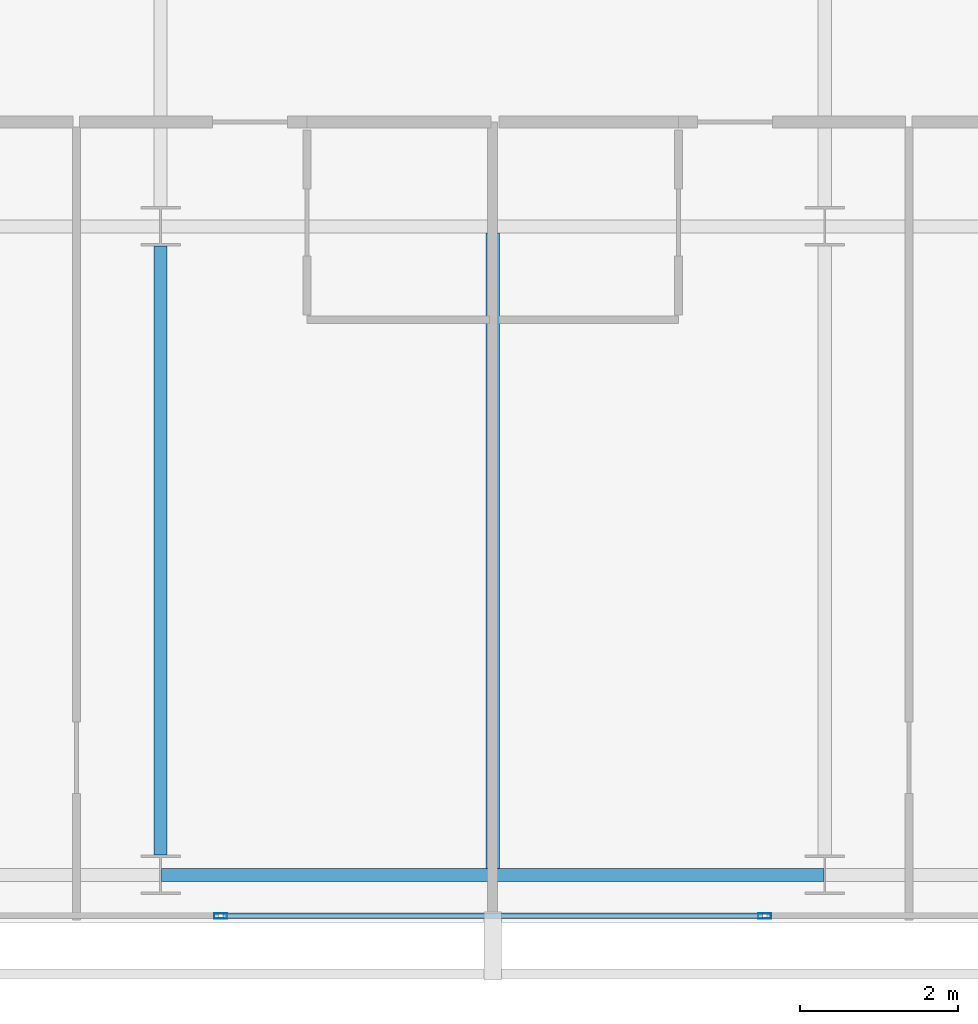
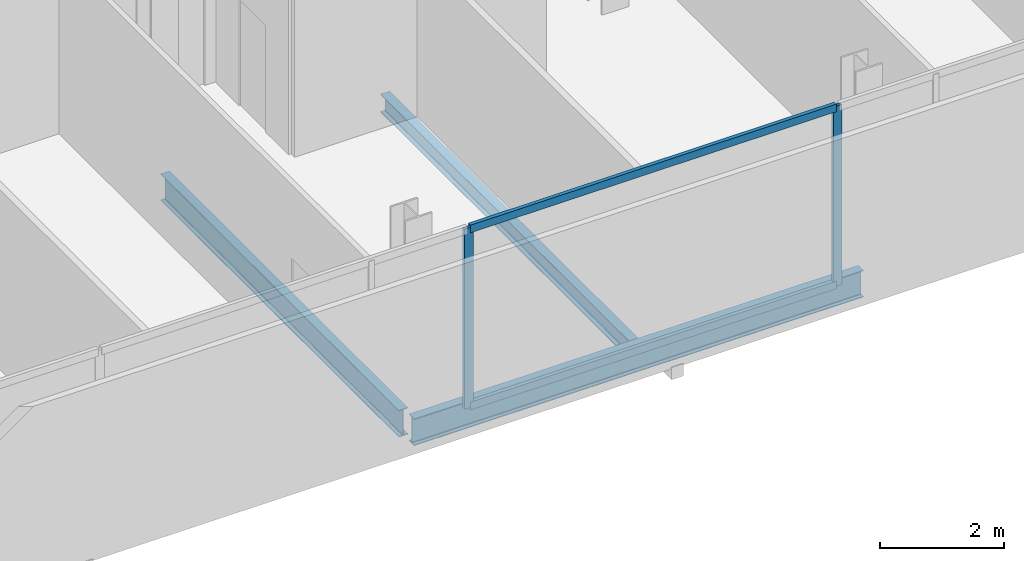
# One storey, part 6 of 26: 4 members, 3 beams, 1 element without a shape of its own.
"""IFC4 building model written with IfcOpenShell, lengths in metres."""

from ifc_helpers import new_model, si_unit, direction, frame, origin, origin_2d, place, context, subcontext, project, spatial, hollow_rectangle, i_section, extrude, material, layer, layer_set, material_profile, profile_set, type_object, element, aggregate, save


model = new_model("IFC4")

# Units and contexts
model_context = context("Model", 3, precision=1e-05, world=origin(), true_north=direction((0.0, 1.0)))
body_context = subcontext(model_context, "Body", "Model", "MODEL_VIEW")
ifc_project = project(units=[si_unit("LENGTHUNIT", "METRE"), si_unit("AREAUNIT", "SQUARE_METRE"), si_unit("VOLUMEUNIT", "CUBIC_METRE"), si_unit("PLANEANGLEUNIT", "RADIAN"), si_unit("MASSUNIT", "GRAM", prefix="KILO")], contexts=[model_context])

# Site, building, storey
site_placement = place(None, origin())
site = spatial("IfcSite", under=ifc_project, at=site_placement, CompositionType="ELEMENT")
building_placement = place(site_placement, origin())
building = spatial("IfcBuilding", under=site, at=building_placement, Name="Maruvema Waterfront Hotel and Observation Tower", CompositionType="ELEMENT")
storey_placement = place(building_placement, frame((0.0, 0.0, 312.550048828125)))
storey = spatial("IfcBuildingStorey", under=building, at=storey_placement, Name="L77", CompositionType="ELEMENT", Elevation=312.550048828125)

# Curtain wall, members
ifc_material_1 = material(Name="Anodised bronze aluminium and solar-control low-E IGU", Category="aluminium")
ifc_layer = layer(ifc_material_1, 0.159912109375, Name="Zone 3 Champagne Inner Thermal Curtain Wall System CW-04")
ifc_layer_set = layer_set([ifc_layer], Name="Anodised bronze aluminium and solar-control low-E IGU")
curtain_wall_type = type_object("IfcCurtainWallType", Name="Zone 3 Champagne Inner Thermal Curtain Wall System CW-04", PredefinedType="USERDEFINED", material=ifc_layer_set)
curtain_wall_placement = place(storey_placement, origin())
curtain_wall = element("IfcCurtainWall", 1, at=curtain_wall_placement, inside=storey, type_object=curtain_wall_type, Name="L77 Curtain Wall CW-L77-S", ObjectType="UNITISED CURTAIN WALL", PredefinedType="USERDEFINED")
ifc_material_2 = material(Name="Anodised architectural bronze aluminium", Category="aluminium")
ifc_material_profile_1 = material_profile(ifc_material_2, hollow_rectangle(XDim=0.070068359375, YDim=0.14990234375, WallThickness=0.00390625, at=origin_2d()), Name="ALU-T70x150")
ifc_profile_set_1 = profile_set([ifc_material_profile_1], Name="Anodised architectural bronze aluminium")
member_type_1 = type_object("IfcMemberType", Name="Curtain Wall Horizontal Transom ALU-T70x150", PredefinedType="USERDEFINED", material=ifc_profile_set_1)
member_1_placement = place(storey_placement, frame((34.389892578125, 9.280029296875, 0.030029296875), z_axis=(1.0, 0.0, 0.0), x_axis=(0.0, 1.0, 0.0)))
member_1 = element("IfcMember", 2, at=member_1_placement, type_object=member_type_1, Name="CW-04 transom 3.1", ObjectType="TRANSOM", PredefinedType="USERDEFINED", context=body_context, shape_type="SweptSolid", body=[
    extrude(hollow_rectangle(XDim=0.070068359375, YDim=0.14990234375, WallThickness=0.00390625, at=origin_2d()), origin(), (0.0, 0.0, 1.0), 6.820068359375),
])
member_2_placement = place(storey_placement, frame((34.389892578125, 9.280029296875, 3.52001953125), z_axis=(1.0, 0.0, 0.0), x_axis=(0.0, 1.0, 0.0)))
member_2 = element("IfcMember", 3, at=member_2_placement, type_object=member_type_1, Name="CW-04 transom 3.2", ObjectType="TRANSOM", PredefinedType="USERDEFINED", context=body_context, shape_type="SweptSolid", body=[
    extrude(hollow_rectangle(XDim=0.070068359375, YDim=0.14990234375, WallThickness=0.00390625, at=origin_2d()), origin(), (0.0, 0.0, 1.0), 6.820068359375),
])
ifc_material_3 = material(Name="Anodised architectural bronze aluminium", Category="aluminium")
ifc_material_profile_2 = material_profile(ifc_material_3, hollow_rectangle(XDim=0.06494140625, YDim=0.1650390625, WallThickness=0.00390625, at=origin_2d()), Name="ALU-M65x165")
ifc_profile_set_2 = profile_set([ifc_material_profile_2], Name="Anodised architectural bronze aluminium")
member_type_2 = type_object("IfcMemberType", Name="Curtain Wall Primary Mullion ALU-M65x165", PredefinedType="MULLION", material=ifc_profile_set_2)
member_3_placement = place(storey_placement, frame((34.360107421875, 9.280029296875, 0.0), z_axis=(0.0, 0.0, 1.0), x_axis=(0.0, 1.0, 0.0)))
member_3 = element("IfcMember", 4, at=member_3_placement, type_object=member_type_2, Name="CW-04 mullion 3", PredefinedType="MULLION", context=body_context, shape_type="SweptSolid", body=[
    extrude(hollow_rectangle(XDim=0.06494140625, YDim=0.1650390625, WallThickness=0.00390625, at=origin_2d()), origin(), (0.0, 0.0, 1.0), 3.550048828125),
])
member_4_placement = place(storey_placement, frame((41.239990234375, 9.280029296875, 0.0), z_axis=(0.0, 0.0, 1.0), x_axis=(0.0, 1.0, 0.0)))
member_4 = element("IfcMember", 5, at=member_4_placement, type_object=member_type_2, Name="CW-04 mullion 4", PredefinedType="MULLION", context=body_context, shape_type="SweptSolid", body=[
    extrude(hollow_rectangle(XDim=0.06494140625, YDim=0.1650390625, WallThickness=0.00390625, at=origin_2d()), origin(), (0.0, 0.0, 1.0), 3.550048828125),
])
aggregate(curtain_wall, [member_3, member_4, member_1, member_2])

# Beams
ifc_material_4 = material(Name="Steel ASTM A572 Grade 50", Category="steel")
ifc_material_profile_3 = material_profile(ifc_material_4, i_section(OverallWidth=0.166015625, OverallDepth=0.529052734375, WebThickness=0.009765625, FlangeThickness=0.013671875, FilletRadius=0.014892578125, at=origin_2d()), Name="W530x74.0")
ifc_profile_set_3 = profile_set([ifc_material_profile_3], Name="Steel ASTM A572 Grade 50")
beam_type_1 = type_object("IfcBeamType", Name="Primary Floor Girder W530x74.0", PredefinedType="BEAM", material=ifc_profile_set_3)
beam_1_placement = place(storey_placement, frame((33.611083984375, 9.800048828125, -0.504638671875), z_axis=(1.0, 0.0, 0.0), x_axis=(0.0, 1.0, 0.0)))
element("IfcBeam", 6, at=beam_1_placement, inside=storey, type_object=beam_type_1, Name="L77 Floor Girder EW-02", PredefinedType="BEAM", context=body_context, shape_type="SweptSolid", body=[
    extrude(i_section(OverallWidth=0.166015625, OverallDepth=0.529052734375, WebThickness=0.009765625, FlangeThickness=0.013671875, FilletRadius=0.014892578125, at=origin_2d()), origin(), (0.0, 0.0, 1.0), 8.3779296875),
])
beam_2_placement = place(storey_placement, frame((33.60009765625, 10.050048828125, -0.504638671875), z_axis=(0.0, 1.0, 0.0), x_axis=(-1.0, 0.0, 0.0)))
element("IfcBeam", 7, at=beam_2_placement, inside=storey, type_object=beam_type_1, Name="L77 Floor Girder NS-08", PredefinedType="BEAM", context=body_context, shape_type="SweptSolid", body=[
    extrude(i_section(OverallWidth=0.166015625, OverallDepth=0.529052734375, WebThickness=0.009765625, FlangeThickness=0.013671875, FilletRadius=0.014892578125, at=origin_2d()), origin(), (0.0, 0.0, 1.0), 7.699951171875),
])
ifc_material_5 = material(Name="Steel ASTM A572 Grade 50", Category="steel")
ifc_material_profile_4 = material_profile(ifc_material_5, i_section(OverallWidth=0.1708984375, OverallDepth=0.35498046875, WebThickness=0.007080078125, FlangeThickness=0.01171875, FilletRadius=0.014892578125, at=origin_2d()), Name="W360x51.0")
ifc_profile_set_4 = profile_set([ifc_material_profile_4], Name="Steel ASTM A572 Grade 50")
beam_type_2 = type_object("IfcBeamType", Name="Secondary Floor Joist W360x51.0", PredefinedType="JOIST", material=ifc_profile_set_4)
beam_3_placement = place(storey_placement, frame((37.800048828125, 9.883056640625, -0.41748046875), z_axis=(0.0, 1.0, 0.0), x_axis=(-1.0, 0.0, 0.0)))
element("IfcBeam", 8, at=beam_3_placement, inside=storey, type_object=beam_type_2, Name="L77 Secondary Floor Joist JS-05", PredefinedType="JOIST", context=body_context, shape_type="SweptSolid", body=[
    extrude(i_section(OverallWidth=0.1708984375, OverallDepth=0.35498046875, WebThickness=0.007080078125, FlangeThickness=0.01171875, FilletRadius=0.014892578125, at=origin_2d()), origin(), (0.0, 0.0, 1.0), 8.033935546875),
])

save(model, "model.ifc")
